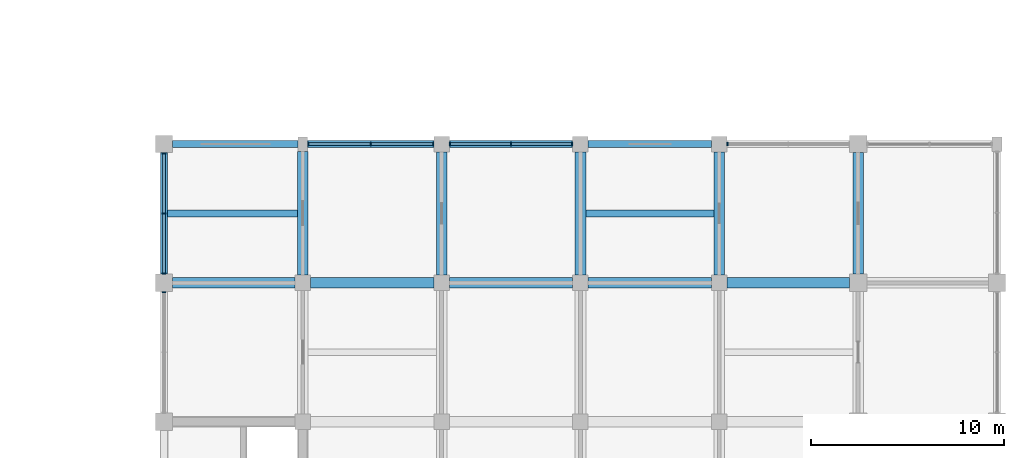
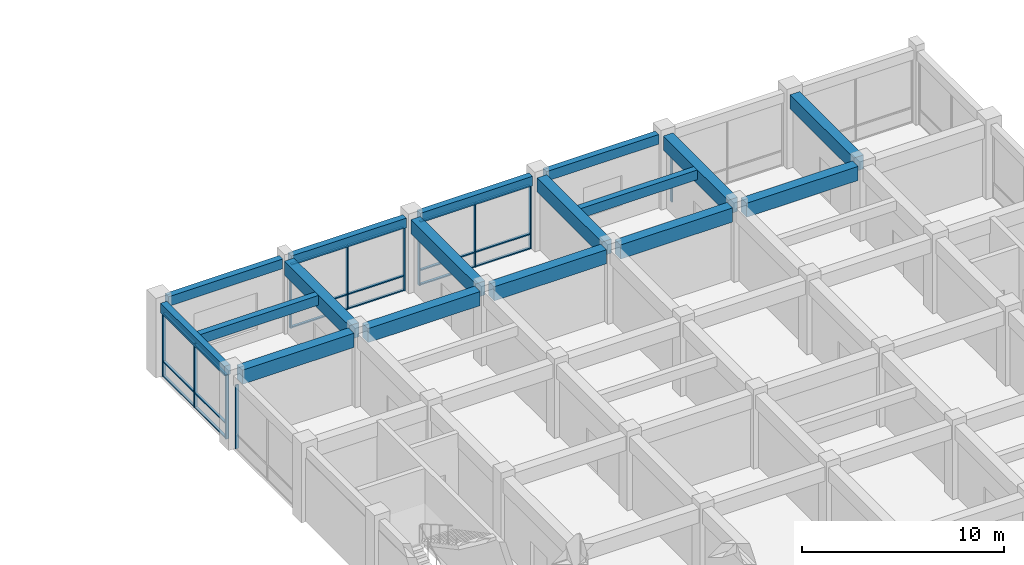
# One storey, part 28 of 75: 29 members, 17 beams, 5 elements without a shape of their own.
"""IFC4 building model written with IfcOpenShell, lengths in metres."""

from ifc_helpers import new_model, si_unit, direction, frame, origin, origin_2d, place, context, subcontext, project, spatial, rectangle, extrude, material, layer, layer_set, material_profile, profile_set, type_object, element, aggregate, save


model = new_model("IFC4")

# Units and contexts
model_context = context("Model", 3, precision=1e-05, world=origin(), true_north=direction((0.0, 1.0)))
body_context = subcontext(model_context, "Body", "Model", "MODEL_VIEW")
ifc_project = project(units=[si_unit("LENGTHUNIT", "METRE"), si_unit("AREAUNIT", "SQUARE_METRE"), si_unit("VOLUMEUNIT", "CUBIC_METRE"), si_unit("PLANEANGLEUNIT", "RADIAN"), si_unit("MASSUNIT", "GRAM", prefix="KILO")], contexts=[model_context])

# Site, building, storey
site_placement = place(None, origin())
site = spatial("IfcSite", under=ifc_project, at=site_placement, CompositionType="ELEMENT")
building_placement = place(site_placement, origin())
building = spatial("IfcBuilding", under=site, at=building_placement, Name="Cendaluz Park School", CompositionType="ELEMENT")
storey_placement = place(building_placement, frame((0.0, 0.0, 4.800048828125)))
storey = spatial("IfcBuildingStorey", under=building, at=storey_placement, Name="L01", CompositionType="ELEMENT", Elevation=4.800048828125)

# Beams
ifc_material_1 = material(Name="Concrete C40/50", Category="concrete")
ifc_material_profile_1 = material_profile(ifc_material_1, rectangle(XDim=0.550048828125, YDim=0.85009765625, at=origin_2d()), Name="RC 550x850", Category="concrete")
ifc_profile_set_1 = profile_set([ifc_material_profile_1], Name="Concrete C40/50")
beam_type_1 = type_object("IfcBeamType", Name="BM-RC01", PredefinedType="BEAM", material=ifc_profile_set_1)
beam_1_placement = place(storey_placement, frame((65.25, 64.800048828125, 4.0048828125), z_axis=(1.0, 0.0, 0.0), x_axis=(0.0, 1.0, 0.0)))
element("IfcBeam", 1, at=beam_1_placement, inside=storey, type_object=beam_type_1, Name="BM-L01-BMRC01-0089", PredefinedType="BEAM", context=body_context, shape_type="SweptSolid", body=[
    extrude(rectangle(XDim=0.550048828125, YDim=0.85009765625, at=origin_2d()), origin(), (0.0, 0.0, 1.0), 6.35009765625),
])
beam_2_placement = place(storey_placement, frame((72.39990234375, 64.800048828125, 4.0048828125), z_axis=(1.0, 0.0, 0.0), x_axis=(0.0, 1.0, 0.0)))
element("IfcBeam", 2, at=beam_2_placement, inside=storey, type_object=beam_type_1, Name="BM-L01-BMRC01-0100", PredefinedType="BEAM", context=body_context, shape_type="SweptSolid", body=[
    extrude(rectangle(XDim=0.550048828125, YDim=0.85009765625, at=origin_2d()), origin(), (0.0, 0.0, 1.0), 6.400146484375),
])
for number, where, z_axis, x_axis, name in (
    (3, (79.60009765625, 64.800048828125, 4.0048828125), (1.0, 0.0, 0.0), (0.0, 1.0, 0.0), "BM-L01-BMRC01-0111"),
    (4, (86.800048828125, 64.800048828125, 4.0048828125), (1.0, 0.0, 0.0), (0.0, 1.0, 0.0), "BM-L01-BMRC01-0122"),
):
    element("IfcBeam", number, at=place(storey_placement, frame(where, z_axis=z_axis, x_axis=x_axis)), inside=storey, type_object=beam_type_1, Name=name, PredefinedType="BEAM", context=body_context, shape_type="SweptSolid", body=[
        extrude(rectangle(XDim=0.550048828125, YDim=0.85009765625, at=origin_2d()), origin(), (0.0, 0.0, 1.0), 6.39990234375),
    ])
beam_3_placement = place(storey_placement, frame((94.0, 64.800048828125, 4.0048828125), z_axis=(1.0, 0.0, 0.0), x_axis=(0.0, 1.0, 0.0)))
element("IfcBeam", 5, at=beam_3_placement, inside=storey, type_object=beam_type_1, Name="BM-L01-BMRC01-0133", PredefinedType="BEAM", context=body_context, shape_type="SweptSolid", body=[
    extrude(rectangle(XDim=0.550048828125, YDim=0.85009765625, at=origin_2d()), origin(), (0.0, 0.0, 1.0), 6.35009765625),
])
beam_4_placement = place(storey_placement, frame((72.0, 65.199951171875, 4.0048828125), z_axis=(0.0, 1.0, 0.0), x_axis=(-1.0, 0.0, 0.0)))
element("IfcBeam", 6, at=beam_4_placement, inside=storey, type_object=beam_type_1, Name="BM-L01-BMRC01-0329", PredefinedType="BEAM", context=body_context, shape_type="SweptSolid", body=[
    extrude(rectangle(XDim=0.550048828125, YDim=0.85009765625, at=origin_2d()), origin(), (0.0, 0.0, 1.0), 6.425048828125),
])
for number, where, z_axis, x_axis, name in (
    (7, (79.199951171875, 65.199951171875, 4.0048828125), (0.0, 1.0, 0.0), (-1.0, 0.0, 0.0), "BM-L01-BMRC01-0339"),
    (8, (86.39990234375, 65.199951171875, 4.0048828125), (0.0, 1.0, 0.0), (-1.0, 0.0, 0.0), "BM-L01-BMRC01-0349"),
    (9, (93.60009765625, 65.199951171875, 4.0048828125), (0.0, 1.0, 0.0), (-1.0, 0.0, 0.0), "BM-L01-BMRC01-0359"),
):
    element("IfcBeam", number, at=place(storey_placement, frame(where, z_axis=z_axis, x_axis=x_axis)), inside=storey, type_object=beam_type_1, Name=name, PredefinedType="BEAM", context=body_context, shape_type="SweptSolid", body=[
        extrude(rectangle(XDim=0.550048828125, YDim=0.85009765625, at=origin_2d()), origin(), (0.0, 0.0, 1.0), 6.400146484375),
    ])
beam_5_placement = place(storey_placement, frame((100.800048828125, 65.25, 4.0048828125), z_axis=(0.0, 1.0, 0.0), x_axis=(-1.0, 0.0, 0.0)))
element("IfcBeam", 10, at=beam_5_placement, inside=storey, type_object=beam_type_1, Name="BM-L01-BMRC01-0369", PredefinedType="BEAM", context=body_context, shape_type="SweptSolid", body=[
    extrude(rectangle(XDim=0.550048828125, YDim=0.85009765625, at=origin_2d()), origin(), (0.0, 0.0, 1.0), 6.300048828125),
])
ifc_material_profile_2 = material_profile(ifc_material_1, rectangle(XDim=0.35009765625, YDim=0.580078125, at=origin_2d()), Name="RC 350x580", Category="concrete")
ifc_profile_set_2 = profile_set([ifc_material_profile_2], Name="Concrete C40/50")
beam_type_2 = type_object("IfcBeamType", Name="BM-RC04", PredefinedType="LINTEL", material=ifc_profile_set_2)
beam_6_placement = place(storey_placement, frame((65.25, 72.0, 4.139892578125), z_axis=(1.0, 0.0, 0.0), x_axis=(0.0, 1.0, 0.0)))
element("IfcBeam", 11, at=beam_6_placement, inside=storey, type_object=beam_type_2, Name="BM-L01-BMRC04-0090", PredefinedType="LINTEL", context=body_context, shape_type="SweptSolid", body=[
    extrude(rectangle(XDim=0.35009765625, YDim=0.580078125, at=origin_2d()), origin(), (0.0, 0.0, 1.0), 6.5),
])
beam_7_placement = place(storey_placement, frame((72.25, 72.0, 4.139892578125), z_axis=(1.0, 0.0, 0.0), x_axis=(0.0, 1.0, 0.0)))
element("IfcBeam", 12, at=beam_7_placement, inside=storey, type_object=beam_type_2, Name="BM-L01-BMRC04-0101", PredefinedType="LINTEL", context=body_context, shape_type="SweptSolid", body=[
    extrude(rectangle(XDim=0.35009765625, YDim=0.580078125, at=origin_2d()), origin(), (0.0, 0.0, 1.0), 6.550048828125),
])
for number, where, z_axis, x_axis, name in (
    (13, (79.60009765625, 72.0, 4.139892578125), (1.0, 0.0, 0.0), (0.0, 1.0, 0.0), "BM-L01-BMRC04-0112"),
    (14, (86.800048828125, 72.0, 4.139892578125), (1.0, 0.0, 0.0), (0.0, 1.0, 0.0), "BM-L01-BMRC04-0123"),
):
    element("IfcBeam", number, at=place(storey_placement, frame(where, z_axis=z_axis, x_axis=x_axis)), inside=storey, type_object=beam_type_2, Name=name, PredefinedType="LINTEL", context=body_context, shape_type="SweptSolid", body=[
        extrude(rectangle(XDim=0.35009765625, YDim=0.580078125, at=origin_2d()), origin(), (0.0, 0.0, 1.0), 6.39990234375),
    ])
beam_8_placement = place(storey_placement, frame((64.800048828125, 65.25, 4.139892578125), z_axis=(0.0, 1.0, 0.0), x_axis=(-1.0, 0.0, 0.0)))
element("IfcBeam", 15, at=beam_8_placement, inside=storey, type_object=beam_type_2, Name="BM-L01-BMRC04-0319", PredefinedType="LINTEL", context=body_context, shape_type="SweptSolid", body=[
    extrude(rectangle(XDim=0.35009765625, YDim=0.580078125, at=origin_2d()), origin(), (0.0, 0.0, 1.0), 6.300048828125),
])

# Curtain wall, member
ifc_material_2 = material(Name="Anodised Aluminium 6063-T6", Category="aluminium")
ifc_layer_1 = layer(ifc_material_2, 0.179931640625)
ifc_layer_set_1 = layer_set([ifc_layer_1], Name="Anodised Aluminium 6063-T6")
curtain_wall_type_1 = type_object("IfcCurtainWallType", Name="CW-126x77", PredefinedType="NOTDEFINED", material=ifc_layer_set_1)
curtain_wall_1_placement = place(storey_placement, origin())
curtain_wall_1 = element("IfcCurtainWall", 16, at=curtain_wall_1_placement, inside=storey, type_object=curtain_wall_type_1, Name="CW-L01-041", PredefinedType="NOTDEFINED")
ifc_material_profile_3 = material_profile(ifc_material_2, rectangle(XDim=0.179931640625, YDim=0.070068359375, at=origin_2d()), Name="CWM 180x70", Category="aluminium")
ifc_profile_set_3 = profile_set([ifc_material_profile_3], Name="Anodised Aluminium 6063-T6")
member_type_1 = type_object("IfcMemberType", Name="CWM-01", PredefinedType="MULLION", material=ifc_profile_set_3)
member_1_placement = place(storey_placement, frame((64.800048828125, 64.31494140625, 0.0), z_axis=(0.0, 0.0, 1.0), x_axis=(-1.0, 0.0, 0.0)))
member_1 = element("IfcMember", 17, at=member_1_placement, type_object=member_type_1, Name="CP-L01-0523", PredefinedType="MULLION", context=body_context, shape_type="SweptSolid", body=[
    extrude(rectangle(XDim=0.179931640625, YDim=0.070068359375, at=origin_2d()), origin(), (0.0, 0.0, 1.0), 3.849853515625),
])
aggregate(curtain_wall_1, [member_1])

# Curtain wall, members
curtain_wall_2_placement = place(storey_placement, origin())
curtain_wall_2 = element("IfcCurtainWall", 18, at=curtain_wall_2_placement, inside=storey, type_object=curtain_wall_type_1, Name="CW-L01-042", PredefinedType="NOTDEFINED")
member_2_placement = place(storey_placement, frame((64.800048828125, 65.284912109375, 0.0), z_axis=(0.0, 0.0, 1.0), x_axis=(-1.0, 0.0, 0.0)))
member_2 = element("IfcMember", 19, at=member_2_placement, type_object=member_type_1, Name="CP-L01-0534", PredefinedType="MULLION", context=body_context, shape_type="SweptSolid", body=[
    extrude(rectangle(XDim=0.179931640625, YDim=0.070068359375, at=origin_2d()), origin(), (0.0, 0.0, 1.0), 3.849853515625),
])
member_3_placement = place(storey_placement, frame((64.800048828125, 68.39990234375, 0.0), z_axis=(0.0, 0.0, 1.0), x_axis=(-1.0, 0.0, 0.0)))
member_3 = element("IfcMember", 20, at=member_3_placement, type_object=member_type_1, Name="CP-L01-0535", PredefinedType="MULLION", context=body_context, shape_type="SweptSolid", body=[
    extrude(rectangle(XDim=0.179931640625, YDim=0.070068359375, at=origin_2d()), origin(), (0.0, 0.0, 1.0), 3.849853515625),
])
member_4_placement = place(storey_placement, frame((64.800048828125, 71.514892578125, 0.0), z_axis=(0.0, 0.0, 1.0), x_axis=(-1.0, 0.0, 0.0)))
member_4 = element("IfcMember", 21, at=member_4_placement, type_object=member_type_1, Name="CP-L01-0536", PredefinedType="MULLION", context=body_context, shape_type="SweptSolid", body=[
    extrude(rectangle(XDim=0.179931640625, YDim=0.070068359375, at=origin_2d()), origin(), (0.0, 0.0, 1.0), 3.849853515625),
])

ifc_layer_2 = layer(ifc_material_2, 0.179931640625)
ifc_layer_set_2 = layer_set([ifc_layer_2], Name="Anodised Aluminium 6063-T6")
curtain_wall_type_2 = type_object("IfcCurtainWallType", Name="CW-131x77", PredefinedType="NOTDEFINED", material=ifc_layer_set_2)
curtain_wall_3_placement = place(storey_placement, origin())
curtain_wall_3 = element("IfcCurtainWall", 22, at=curtain_wall_3_placement, inside=storey, type_object=curtain_wall_type_2, Name="CW-L01-043", PredefinedType="NOTDEFINED")
member_5_placement = place(storey_placement, frame((72.284912109375, 72.0, 0.0), z_axis=(0.0, 0.0, 1.0), x_axis=(0.0, 1.0, 0.0)))
member_5 = element("IfcMember", 23, at=member_5_placement, type_object=member_type_1, Name="CP-L01-0547", PredefinedType="MULLION", context=body_context, shape_type="SweptSolid", body=[
    extrude(rectangle(XDim=0.179931640625, YDim=0.070068359375, at=origin_2d()), origin(), (0.0, 0.0, 1.0), 3.849853515625),
])
member_6_placement = place(storey_placement, frame((75.52490234375, 72.0, 0.0), z_axis=(0.0, 0.0, 1.0), x_axis=(0.0, 1.0, 0.0)))
member_6 = element("IfcMember", 24, at=member_6_placement, type_object=member_type_1, Name="CP-L01-0548", PredefinedType="MULLION", context=body_context, shape_type="SweptSolid", body=[
    extrude(rectangle(XDim=0.179931640625, YDim=0.070068359375, at=origin_2d()), origin(), (0.0, 0.0, 1.0), 3.849853515625),
])
member_7_placement = place(storey_placement, frame((78.764892578125, 72.0, 0.0), z_axis=(0.0, 0.0, 1.0), x_axis=(0.0, 1.0, 0.0)))
member_7 = element("IfcMember", 25, at=member_7_placement, type_object=member_type_1, Name="CP-L01-0549", PredefinedType="MULLION", context=body_context, shape_type="SweptSolid", body=[
    extrude(rectangle(XDim=0.179931640625, YDim=0.070068359375, at=origin_2d()), origin(), (0.0, 0.0, 1.0), 3.849853515625),
])

ifc_layer_3 = layer(ifc_material_2, 0.179931640625)
ifc_layer_set_3 = layer_set([ifc_layer_3], Name="Anodised Aluminium 6063-T6")
curtain_wall_type_3 = type_object("IfcCurtainWallType", Name="CW-128x77", PredefinedType="NOTDEFINED", material=ifc_layer_set_3)
curtain_wall_4_placement = place(storey_placement, origin())
curtain_wall_4 = element("IfcCurtainWall", 26, at=curtain_wall_4_placement, inside=storey, type_object=curtain_wall_type_3, Name="CW-L01-045", PredefinedType="NOTDEFINED")
member_8_placement = place(storey_placement, frame((79.635009765625, 72.0, 0.0), z_axis=(0.0, 0.0, 1.0), x_axis=(0.0, 1.0, 0.0)))
member_8 = element("IfcMember", 27, at=member_8_placement, type_object=member_type_1, Name="CP-L01-0573", PredefinedType="MULLION", context=body_context, shape_type="SweptSolid", body=[
    extrude(rectangle(XDim=0.179931640625, YDim=0.070068359375, at=origin_2d()), origin(), (0.0, 0.0, 1.0), 3.849853515625),
])
member_9_placement = place(storey_placement, frame((82.800048828125, 72.0, 0.0), z_axis=(0.0, 0.0, 1.0), x_axis=(0.0, 1.0, 0.0)))
member_9 = element("IfcMember", 28, at=member_9_placement, type_object=member_type_1, Name="CP-L01-0574", PredefinedType="MULLION", context=body_context, shape_type="SweptSolid", body=[
    extrude(rectangle(XDim=0.179931640625, YDim=0.070068359375, at=origin_2d()), origin(), (0.0, 0.0, 1.0), 3.849853515625),
])
member_10_placement = place(storey_placement, frame((85.965087890625, 72.0, 0.0), z_axis=(0.0, 0.0, 1.0), x_axis=(0.0, 1.0, 0.0)))
member_10 = element("IfcMember", 29, at=member_10_placement, type_object=member_type_1, Name="CP-L01-0575", PredefinedType="MULLION", context=body_context, shape_type="SweptSolid", body=[
    extrude(rectangle(XDim=0.179931640625, YDim=0.070068359375, at=origin_2d()), origin(), (0.0, 0.0, 1.0), 3.849853515625),
])

# Curtain wall, member
ifc_layer_4 = layer(ifc_material_2, 0.179931640625)
ifc_layer_set_4 = layer_set([ifc_layer_4], Name="Anodised Aluminium 6063-T6")
curtain_wall_type_4 = type_object("IfcCurtainWallType", Name="CW-127x77", PredefinedType="NOTDEFINED", material=ifc_layer_set_4)
curtain_wall_5_placement = place(storey_placement, origin())
curtain_wall_5 = element("IfcCurtainWall", 30, at=curtain_wall_5_placement, inside=storey, type_object=curtain_wall_type_4, Name="CW-L01-047", PredefinedType="NOTDEFINED")
member_11_placement = place(storey_placement, frame((94.034912109375, 72.0, 0.0), z_axis=(0.0, 0.0, 1.0), x_axis=(0.0, 1.0, 0.0)))
member_11 = element("IfcMember", 31, at=member_11_placement, type_object=member_type_1, Name="CP-L01-0599", PredefinedType="MULLION", context=body_context, shape_type="SweptSolid", body=[
    extrude(rectangle(XDim=0.179931640625, YDim=0.070068359375, at=origin_2d()), origin(), (0.0, 0.0, 1.0), 3.849853515625),
])
aggregate(curtain_wall_5, [member_11])

# Member
ifc_material_profile_4 = material_profile(ifc_material_2, rectangle(XDim=0.139892578125, YDim=0.070068359375, at=origin_2d()), Name="CWT 140x70", Category="aluminium")
ifc_profile_set_4 = profile_set([ifc_material_profile_4], Name="Anodised Aluminium 6063-T6")
member_type_2 = type_object("IfcMemberType", Name="CWT-01", PredefinedType="USERDEFINED", material=ifc_profile_set_4)
member_12_placement = place(storey_placement, frame((64.800048828125, 65.320068359375, 0.034912109375), z_axis=(0.0, 1.0, 0.0), x_axis=(-1.0, 0.0, 0.0)))
member_12 = element("IfcMember", 32, at=member_12_placement, type_object=member_type_2, Name="CP-L01-0537", ObjectType="TRANSOM", PredefinedType="USERDEFINED", context=body_context, shape_type="SweptSolid", body=[
    extrude(rectangle(XDim=0.139892578125, YDim=0.070068359375, at=origin_2d()), origin(), (0.0, 0.0, 1.0), 3.044921875),
])

member_13_placement = place(storey_placement, frame((64.800048828125, 65.320068359375, 0.89990234375), z_axis=(0.0, 1.0, 0.0), x_axis=(-1.0, 0.0, 0.0)))
member_13 = element("IfcMember", 33, at=member_13_placement, type_object=member_type_2, Name="CP-L01-0538", ObjectType="TRANSOM", PredefinedType="USERDEFINED", context=body_context, shape_type="SweptSolid", body=[
    extrude(rectangle(XDim=0.139892578125, YDim=0.070068359375, at=origin_2d()), origin(), (0.0, 0.0, 1.0), 3.044921875),
])

member_14_placement = place(storey_placement, frame((64.800048828125, 65.320068359375, 3.81494140625), z_axis=(0.0, 1.0, 0.0), x_axis=(-1.0, 0.0, 0.0)))
member_14 = element("IfcMember", 34, at=member_14_placement, type_object=member_type_2, Name="CP-L01-0539", ObjectType="TRANSOM", PredefinedType="USERDEFINED", context=body_context, shape_type="SweptSolid", body=[
    extrude(rectangle(XDim=0.139892578125, YDim=0.070068359375, at=origin_2d()), origin(), (0.0, 0.0, 1.0), 3.044921875),
])

member_15_placement = place(storey_placement, frame((64.800048828125, 68.43505859375, 0.034912109375), z_axis=(0.0, 1.0, 0.0), x_axis=(-1.0, 0.0, 0.0)))
member_15 = element("IfcMember", 35, at=member_15_placement, type_object=member_type_2, Name="CP-L01-0542", ObjectType="TRANSOM", PredefinedType="USERDEFINED", context=body_context, shape_type="SweptSolid", body=[
    extrude(rectangle(XDim=0.139892578125, YDim=0.070068359375, at=origin_2d()), origin(), (0.0, 0.0, 1.0), 3.044921875),
])

member_16_placement = place(storey_placement, frame((64.800048828125, 68.43505859375, 0.89990234375), z_axis=(0.0, 1.0, 0.0), x_axis=(-1.0, 0.0, 0.0)))
member_16 = element("IfcMember", 36, at=member_16_placement, type_object=member_type_2, Name="CP-L01-0543", ObjectType="TRANSOM", PredefinedType="USERDEFINED", context=body_context, shape_type="SweptSolid", body=[
    extrude(rectangle(XDim=0.139892578125, YDim=0.070068359375, at=origin_2d()), origin(), (0.0, 0.0, 1.0), 3.044921875),
])

member_17_placement = place(storey_placement, frame((64.800048828125, 68.43505859375, 3.81494140625), z_axis=(0.0, 1.0, 0.0), x_axis=(-1.0, 0.0, 0.0)))
member_17 = element("IfcMember", 37, at=member_17_placement, type_object=member_type_2, Name="CP-L01-0544", ObjectType="TRANSOM", PredefinedType="USERDEFINED", context=body_context, shape_type="SweptSolid", body=[
    extrude(rectangle(XDim=0.139892578125, YDim=0.070068359375, at=origin_2d()), origin(), (0.0, 0.0, 1.0), 3.044921875),
])

aggregate(curtain_wall_2, [member_2, member_3, member_4, member_12, member_13, member_14, member_15, member_16, member_17])

member_18_placement = place(storey_placement, frame((72.320068359375, 72.0, 0.034912109375), z_axis=(1.0, 0.0, 0.0), x_axis=(0.0, 1.0, 0.0)))
member_18 = element("IfcMember", 38, at=member_18_placement, type_object=member_type_2, Name="CP-L01-0550", ObjectType="TRANSOM", PredefinedType="USERDEFINED", context=body_context, shape_type="SweptSolid", body=[
    extrude(rectangle(XDim=0.139892578125, YDim=0.070068359375, at=origin_2d()), origin(), (0.0, 0.0, 1.0), 3.169921875),
])

member_19_placement = place(storey_placement, frame((72.320068359375, 72.0, 0.89990234375), z_axis=(1.0, 0.0, 0.0), x_axis=(0.0, 1.0, 0.0)))
member_19 = element("IfcMember", 39, at=member_19_placement, type_object=member_type_2, Name="CP-L01-0551", ObjectType="TRANSOM", PredefinedType="USERDEFINED", context=body_context, shape_type="SweptSolid", body=[
    extrude(rectangle(XDim=0.139892578125, YDim=0.070068359375, at=origin_2d()), origin(), (0.0, 0.0, 1.0), 3.169921875),
])

member_20_placement = place(storey_placement, frame((72.320068359375, 72.0, 3.81494140625), z_axis=(1.0, 0.0, 0.0), x_axis=(0.0, 1.0, 0.0)))
member_20 = element("IfcMember", 40, at=member_20_placement, type_object=member_type_2, Name="CP-L01-0552", ObjectType="TRANSOM", PredefinedType="USERDEFINED", context=body_context, shape_type="SweptSolid", body=[
    extrude(rectangle(XDim=0.139892578125, YDim=0.070068359375, at=origin_2d()), origin(), (0.0, 0.0, 1.0), 3.169921875),
])

member_21_placement = place(storey_placement, frame((75.56005859375, 72.0, 0.034912109375), z_axis=(1.0, 0.0, 0.0), x_axis=(0.0, 1.0, 0.0)))
member_21 = element("IfcMember", 41, at=member_21_placement, type_object=member_type_2, Name="CP-L01-0555", ObjectType="TRANSOM", PredefinedType="USERDEFINED", context=body_context, shape_type="SweptSolid", body=[
    extrude(rectangle(XDim=0.139892578125, YDim=0.070068359375, at=origin_2d()), origin(), (0.0, 0.0, 1.0), 3.169921875),
])

member_22_placement = place(storey_placement, frame((75.56005859375, 72.0, 0.89990234375), z_axis=(1.0, 0.0, 0.0), x_axis=(0.0, 1.0, 0.0)))
member_22 = element("IfcMember", 42, at=member_22_placement, type_object=member_type_2, Name="CP-L01-0556", ObjectType="TRANSOM", PredefinedType="USERDEFINED", context=body_context, shape_type="SweptSolid", body=[
    extrude(rectangle(XDim=0.139892578125, YDim=0.070068359375, at=origin_2d()), origin(), (0.0, 0.0, 1.0), 3.169921875),
])

member_23_placement = place(storey_placement, frame((75.56005859375, 72.0, 3.81494140625), z_axis=(1.0, 0.0, 0.0), x_axis=(0.0, 1.0, 0.0)))
member_23 = element("IfcMember", 43, at=member_23_placement, type_object=member_type_2, Name="CP-L01-0557", ObjectType="TRANSOM", PredefinedType="USERDEFINED", context=body_context, shape_type="SweptSolid", body=[
    extrude(rectangle(XDim=0.139892578125, YDim=0.070068359375, at=origin_2d()), origin(), (0.0, 0.0, 1.0), 3.169921875),
])

aggregate(curtain_wall_3, [member_5, member_6, member_7, member_18, member_19, member_20, member_21, member_22, member_23])

member_24_placement = place(storey_placement, frame((79.669921875, 72.0, 0.034912109375), z_axis=(1.0, 0.0, 0.0), x_axis=(0.0, 1.0, 0.0)))
member_24 = element("IfcMember", 44, at=member_24_placement, type_object=member_type_2, Name="CP-L01-0576", ObjectType="TRANSOM", PredefinedType="USERDEFINED", context=body_context, shape_type="SweptSolid", body=[
    extrude(rectangle(XDim=0.139892578125, YDim=0.070068359375, at=origin_2d()), origin(), (0.0, 0.0, 1.0), 3.094970703125),
])

member_25_placement = place(storey_placement, frame((79.669921875, 72.0, 0.89990234375), z_axis=(1.0, 0.0, 0.0), x_axis=(0.0, 1.0, 0.0)))
member_25 = element("IfcMember", 45, at=member_25_placement, type_object=member_type_2, Name="CP-L01-0577", ObjectType="TRANSOM", PredefinedType="USERDEFINED", context=body_context, shape_type="SweptSolid", body=[
    extrude(rectangle(XDim=0.139892578125, YDim=0.070068359375, at=origin_2d()), origin(), (0.0, 0.0, 1.0), 3.094970703125),
])

member_26_placement = place(storey_placement, frame((79.669921875, 72.0, 3.81494140625), z_axis=(1.0, 0.0, 0.0), x_axis=(0.0, 1.0, 0.0)))
member_26 = element("IfcMember", 46, at=member_26_placement, type_object=member_type_2, Name="CP-L01-0578", ObjectType="TRANSOM", PredefinedType="USERDEFINED", context=body_context, shape_type="SweptSolid", body=[
    extrude(rectangle(XDim=0.139892578125, YDim=0.070068359375, at=origin_2d()), origin(), (0.0, 0.0, 1.0), 3.094970703125),
])

member_27_placement = place(storey_placement, frame((82.8349609375, 72.0, 0.034912109375), z_axis=(1.0, 0.0, 0.0), x_axis=(0.0, 1.0, 0.0)))
member_27 = element("IfcMember", 47, at=member_27_placement, type_object=member_type_2, Name="CP-L01-0581", ObjectType="TRANSOM", PredefinedType="USERDEFINED", context=body_context, shape_type="SweptSolid", body=[
    extrude(rectangle(XDim=0.139892578125, YDim=0.070068359375, at=origin_2d()), origin(), (0.0, 0.0, 1.0), 3.094970703125),
])

member_28_placement = place(storey_placement, frame((82.8349609375, 72.0, 0.89990234375), z_axis=(1.0, 0.0, 0.0), x_axis=(0.0, 1.0, 0.0)))
member_28 = element("IfcMember", 48, at=member_28_placement, type_object=member_type_2, Name="CP-L01-0582", ObjectType="TRANSOM", PredefinedType="USERDEFINED", context=body_context, shape_type="SweptSolid", body=[
    extrude(rectangle(XDim=0.139892578125, YDim=0.070068359375, at=origin_2d()), origin(), (0.0, 0.0, 1.0), 3.094970703125),
])

member_29_placement = place(storey_placement, frame((82.8349609375, 72.0, 3.81494140625), z_axis=(1.0, 0.0, 0.0), x_axis=(0.0, 1.0, 0.0)))
member_29 = element("IfcMember", 49, at=member_29_placement, type_object=member_type_2, Name="CP-L01-0583", ObjectType="TRANSOM", PredefinedType="USERDEFINED", context=body_context, shape_type="SweptSolid", body=[
    extrude(rectangle(XDim=0.139892578125, YDim=0.070068359375, at=origin_2d()), origin(), (0.0, 0.0, 1.0), 3.094970703125),
])

aggregate(curtain_wall_4, [member_8, member_9, member_10, member_24, member_25, member_26, member_27, member_28, member_29])

# Beams
ifc_material_profile_5 = material_profile(ifc_material_1, rectangle(XDim=0.35009765625, YDim=0.580078125, at=origin_2d()), Name="RC 350x580", Category="concrete")
ifc_profile_set_5 = profile_set([ifc_material_profile_5], Name="Concrete C40/50")
beam_type_3 = type_object("IfcBeamType", Name="JT-RC01", PredefinedType="JOIST", material=ifc_profile_set_5)
beam_9_placement = place(storey_placement, frame((64.97509765625, 68.39990234375, 4.139892578125), z_axis=(1.0, 0.0, 0.0), x_axis=(0.0, 1.0, 0.0)))
element("IfcBeam", 50, at=beam_9_placement, inside=storey, type_object=beam_type_3, Name="BM-L01-JTRC01-0488", PredefinedType="JOIST", context=body_context, shape_type="SweptSolid", body=[
    extrude(rectangle(XDim=0.35009765625, YDim=0.580078125, at=origin_2d()), origin(), (0.0, 0.0, 1.0), 6.75),
])
beam_10_placement = place(storey_placement, frame((86.675048828125, 68.39990234375, 4.139892578125), z_axis=(1.0, 0.0, 0.0), x_axis=(0.0, 1.0, 0.0)))
element("IfcBeam", 51, at=beam_10_placement, inside=storey, type_object=beam_type_3, Name="BM-L01-JTRC01-0498", PredefinedType="JOIST", context=body_context, shape_type="SweptSolid", body=[
    extrude(rectangle(XDim=0.35009765625, YDim=0.580078125, at=origin_2d()), origin(), (0.0, 0.0, 1.0), 6.64990234375),
])

save(model, "model.ifc")
